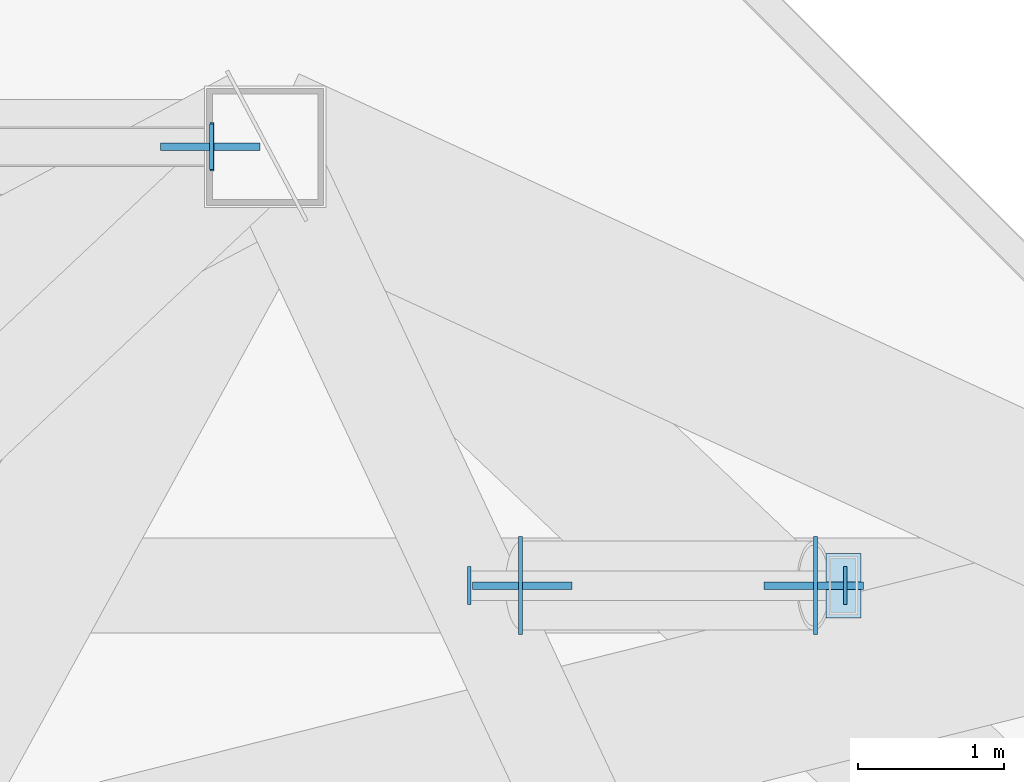
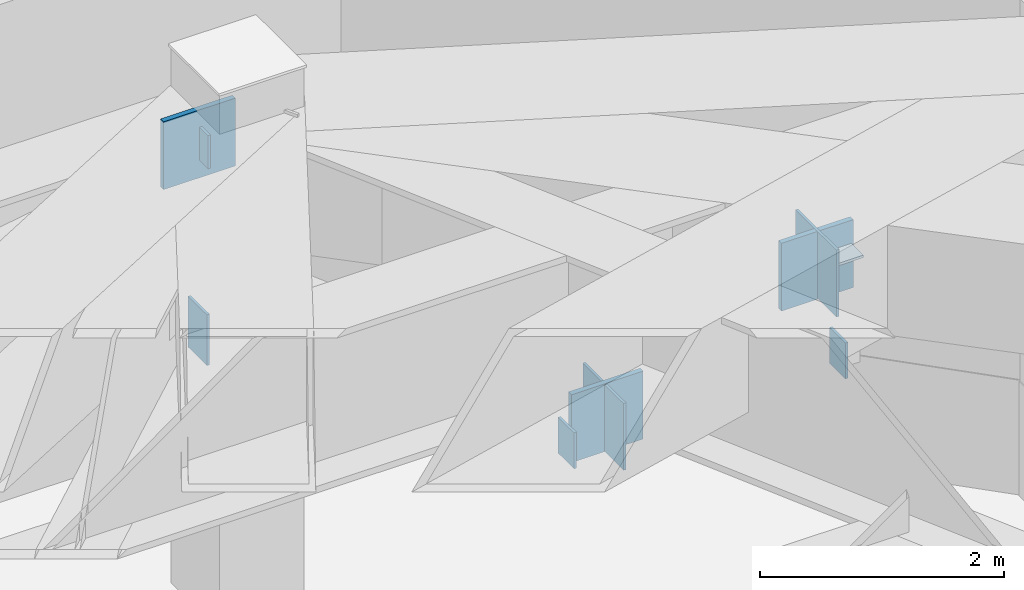
# One storey, part 13 of 19: 10 plates.
"""IFC4 building model written with IfcOpenShell, lengths in metres."""

from ifc_helpers import new_model, si_unit, direction, frame, origin, origin_2d, place, context, subcontext, project, spatial, rectangle, extrude, material, layer, layer_set, type_object, element, save


model = new_model("IFC4")

# Units and contexts
model_context = context("Model", 3, precision=1e-05, world=origin(), true_north=direction((0.0, 1.0)))
body_context = subcontext(model_context, "Body", "Model", "MODEL_VIEW")
ifc_project = project(units=[si_unit("LENGTHUNIT", "METRE"), si_unit("AREAUNIT", "SQUARE_METRE"), si_unit("VOLUMEUNIT", "CUBIC_METRE"), si_unit("PLANEANGLEUNIT", "RADIAN"), si_unit("MASSUNIT", "GRAM", prefix="KILO")], contexts=[model_context])

# Site, building, storey
site_placement = place(None, origin())
site = spatial("IfcSite", under=ifc_project, at=site_placement, CompositionType="ELEMENT")
building_placement = place(site_placement, origin())
building = spatial("IfcBuilding", under=site, at=building_placement, Name="Khamvora Tower", CompositionType="ELEMENT")
storey_placement = place(building_placement, frame((0.0, 0.0, 211.800048828125)))
storey = spatial("IfcBuildingStorey", under=building, at=storey_placement, Name="L54", CompositionType="ELEMENT", Elevation=211.800048828125)

# Plates
ifc_material_1 = material(Name="Steel S355", Category="steel")
ifc_layer_1 = layer(ifc_material_1, 0.02490234375)
ifc_layer_set_1 = layer_set([ifc_layer_1], Name="Steel S355")
plate_type_1 = type_object("IfcPlateType", Name="PL-CAP-25", PredefinedType="SHEET", material=ifc_layer_set_1)
plate_1_placement = place(storey_placement, frame((56.383056640625, 44.5, 2.5048828125), z_axis=(0.0, 0.0, 1.0), x_axis=(1.0, 0.0, 0.0)))
element("IfcPlate", 1, at=plate_1_placement, inside=storey, type_object=plate_type_1, Name="L54 hollow section steel end cap plate 1055", PredefinedType="SHEET", context=body_context, shape_type="SweptSolid", body=[
    extrude(rectangle(XDim=0.02490234375, YDim=0.31005859375, at=origin_2d()), origin(), (0.0, 0.0, 1.0), 0.510009765625),
])
for number, where, z_axis, x_axis, name in (
    (2, (58.14404296875, 41.5, 2.65966796875), (0.0, 0.0, 1.0), (1.0, 0.0, 0.0), "L54 hollow section steel end cap plate 1069"),
    (3, (60.716064453125, 41.5, 2.65966796875), (0.0, 0.0, 1.0), (1.0, 0.0, 0.0), "L54 hollow section steel end cap plate 1070"),
):
    element("IfcPlate", number, at=place(storey_placement, frame(where, z_axis=z_axis, x_axis=x_axis)), inside=storey, type_object=plate_type_1, Name=name, PredefinedType="SHEET", context=body_context, shape_type="SweptSolid", body=[
        extrude(rectangle(XDim=0.02490234375, YDim=0.260009765625, at=origin_2d()), origin(), (0.0, 0.0, 1.0), 0.360107421875),
    ])
plate_2_placement = place(storey_placement, frame((60.702880859375, 41.5, 3.889404296875), z_axis=(0.0, 0.0, 1.0), x_axis=(1.0, 0.0, 0.0)))
element("IfcPlate", 4, at=plate_2_placement, inside=storey, type_object=plate_type_1, Name="L54 hollow section steel end cap plate 1071", PredefinedType="SHEET", context=body_context, shape_type="SweptSolid", body=[
    extrude(rectangle(XDim=0.239990234375, YDim=0.43994140625, at=origin_2d()), origin(), (0.0, 0.0, 1.0), 0.02490234375),
])
for number, where, z_axis, x_axis, name in (
    (5, (58.49609375, 41.5, 2.64501953125), (0.0, 0.0, 1.0), (1.0, 0.0, 0.0), "L54 hollow section steel end cap plate 1072"),
    (6, (60.511962890625, 41.5, 3.47607421875), (0.0, 0.0, 1.0), (1.0, 0.0, 0.0), "L54 hollow section steel end cap plate 1073"),
):
    element("IfcPlate", number, at=place(storey_placement, frame(where, z_axis=z_axis, x_axis=x_axis)), inside=storey, type_object=plate_type_1, Name=name, PredefinedType="SHEET", context=body_context, shape_type="SweptSolid", body=[
        extrude(rectangle(XDim=0.02490234375, YDim=0.669921875, at=origin_2d()), origin(), (0.0, 0.0, 1.0), 0.669921875),
    ])
plate_3_placement = place(storey_placement, frame((56.386962890625, 44.5, 4.4833984375), z_axis=(0.0, 0.0, 1.0), x_axis=(1.0, 0.0, 0.0)))
element("IfcPlate", 7, at=plate_3_placement, inside=storey, type_object=plate_type_1, Name="L54 hollow section steel end cap plate 1129", PredefinedType="SHEET", context=body_context, shape_type="SweptSolid", body=[
    extrude(rectangle(XDim=0.02490234375, YDim=0.3330078125, at=origin_2d()), origin(), (0.0, 0.0, 1.0), 0.3330078125),
])
ifc_material_2 = material(Name="Steel S460", Category="steel")
ifc_layer_2 = layer(ifc_material_2, 0.050048828125)
ifc_layer_set_2 = layer_set([ifc_layer_2], Name="Steel S460")
plate_type_2 = type_object("IfcPlateType", Name="PLT-GUS-50", PredefinedType="SHEET", material=ifc_layer_set_2)
for number, where, z_axis, x_axis, name in (
    (8, (58.508056640625, 41.5, 2.64501953125), (0.0, 0.0, 1.0), (1.0, 0.0, 0.0), "L54 brace connection node gusset plate 0363"),
    (9, (60.5, 41.5, 3.4658203125), (0.0, 0.0, 1.0), (1.0, 0.0, 0.0), "L54 brace connection node gusset plate 0364"),
    (10, (56.375, 44.5, 4.30810546875), (0.0, 0.0, 1.0), (1.0, 0.0, 0.0), "L54 brace connection node gusset plate 0372"),
):
    element("IfcPlate", number, at=place(storey_placement, frame(where, z_axis=z_axis, x_axis=x_axis)), inside=storey, type_object=plate_type_2, Name=name, PredefinedType="SHEET", context=body_context, shape_type="SweptSolid", body=[
        extrude(rectangle(XDim=0.679931640625, YDim=0.050048828125, at=origin_2d()), origin(), (0.0, 0.0, 1.0), 0.679931640625),
    ])

save(model, "model.ifc")
